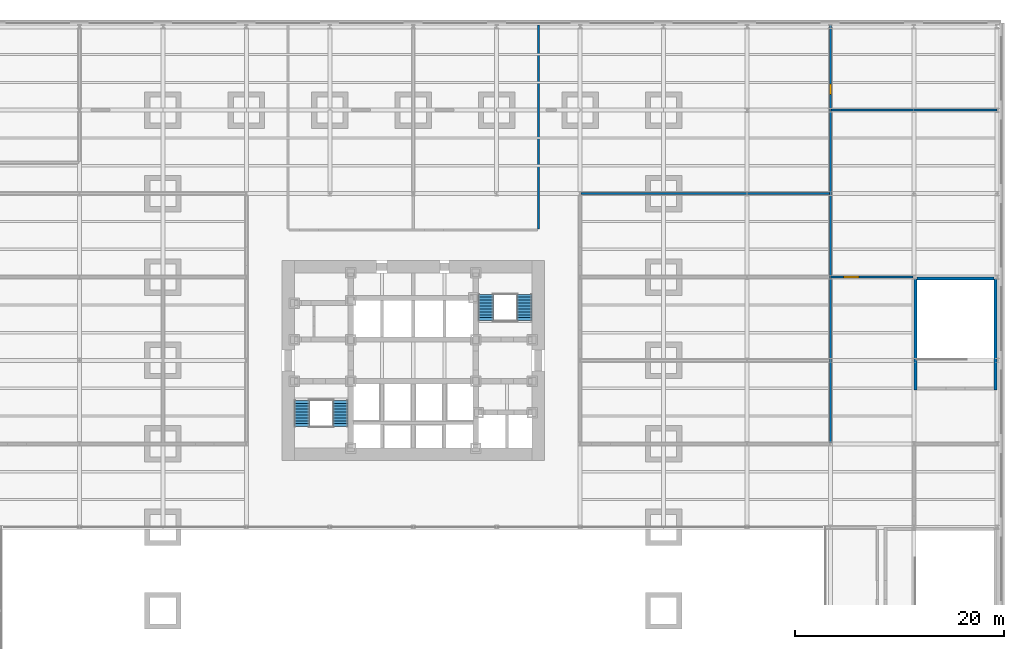
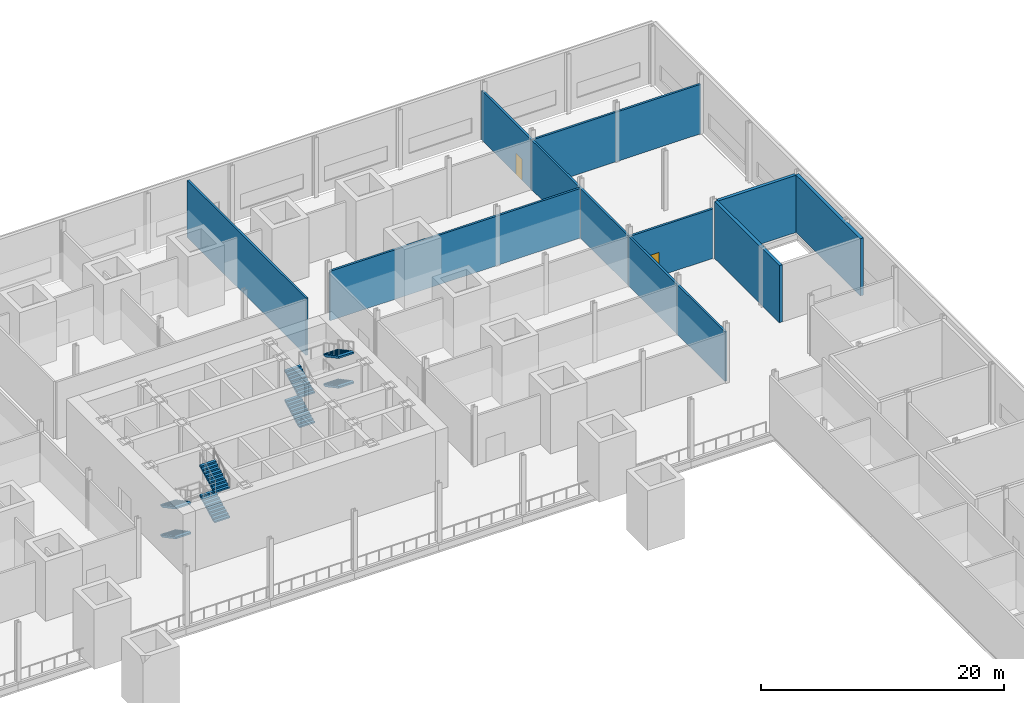
# One storey, part 17 of 21: 10 walls, 8 stair flights, 2 doors, 2 openings, 2 elements without a shape of their own.
"""IFC4 building model written with IfcOpenShell, lengths in metres."""

import ifcopenshell
import ifcopenshell.guid

model = None  # the IFC model being written
_history = None  # IfcOwnerHistory: only IFC2X3 demands one
_inside = {}  # id of a spatial element -> (the spatial element, [elements in it])
_under = {}  # id of a project, library or spatial element -> (it, [spatial elements below it])
_declared = {}  # id of a project -> (the project, [libraries it declares])
_typed = {}  # id of a type object -> (the type object, [elements of that type])
_made_of = {}  # id of a material, layer set ... -> (it, [elements and type objects made of it])


def new_model(schema):
    """Start an empty IFC model of exactly this schema.

    Asked for "IFC4X3", IfcOpenShell would pick the latest addendum, in which some entities
    have other attributes; the version numbers below select the first issue.
    IFC2X3 requires an IfcOwnerHistory on every rooted entity: one is made here for all.
    """
    global model, _history
    if schema == "IFC4X3":
        model = ifcopenshell.file(schema_version=(4, 3, 0, 0))
    else:
        model = ifcopenshell.file(schema=schema)
    _inside.clear()
    _under.clear()
    _declared.clear()
    _typed.clear()
    _made_of.clear()
    _history = None
    if model.schema == "IFC2X3":
        org = make("IfcOrganization", Name="unknown")
        user = make(
            "IfcPersonAndOrganization",
            ThePerson=make("IfcPerson", FamilyName="unknown"),
            TheOrganization=org,
        )
        app = make(
            "IfcApplication",
            ApplicationDeveloper=org,
            Version="unknown",
            ApplicationFullName="unknown",
            ApplicationIdentifier="unknown",
        )
        _history = make(
            "IfcOwnerHistory",
            OwningUser=user,
            OwningApplication=app,
            ChangeAction="ADDED",
            CreationDate=0,
        )
    return model


def make(cls, **values):
    """One entity of the class cls with the attributes given. An attribute that is None is left unset."""
    return model.create_entity(
        cls, **{name: value for name, value in values.items() if value is not None}
    )


def rooted(cls, **values):
    """An entity with a GlobalId (a new one), such as an element, a storey or a relation."""
    return make(cls, GlobalId=ifcopenshell.guid.new(), OwnerHistory=_history, **values)


def si_unit(unit_type, name, prefix=None):
    """IfcSIUnit, for example si_unit("LENGTHUNIT", "METRE", prefix="MILLI")."""
    return make("IfcSIUnit", UnitType=unit_type, Prefix=prefix, Name=name)


def assignment(units):
    """IfcUnitAssignment: the units of a project."""
    return None if units is None else make("IfcUnitAssignment", Units=units)


def point(xyz):
    """IfcCartesianPoint."""
    return None if xyz is None else make("IfcCartesianPoint", Coordinates=xyz)


def direction(xyz):
    """IfcDirection."""
    return None if xyz is None else make("IfcDirection", DirectionRatios=xyz)


def frame(location, z_axis=None, x_axis=None):
    """IfcAxis2Placement3D, a coordinate frame: its origin and axes. An axis left out is left unset."""
    return make(
        "IfcAxis2Placement3D",
        Location=point(location),
        Axis=direction(z_axis),
        RefDirection=direction(x_axis),
    )


def frame_2d(location, x_axis=None):
    """IfcAxis2Placement2D, a coordinate frame in the plane: its origin and x axis."""
    return make(
        "IfcAxis2Placement2D", Location=point(location), RefDirection=direction(x_axis)
    )


def origin():
    """The frame at (0, 0, 0) with its axes left unset."""
    return frame((0.0, 0.0, 0.0))


def place(relative_to, where):
    """IfcLocalPlacement: puts the frame where relative to a parent placement (None: the world)."""
    return make(
        "IfcLocalPlacement", PlacementRelTo=relative_to, RelativePlacement=where
    )


def context(
    kind, dimensions, precision=None, world=None, true_north=None, identifier=None
):
    """IfcGeometricRepresentationContext, for example the 3D "Model" context."""
    return make(
        "IfcGeometricRepresentationContext",
        ContextIdentifier=identifier,
        ContextType=kind,
        CoordinateSpaceDimension=dimensions,
        Precision=precision,
        WorldCoordinateSystem=world,
        TrueNorth=true_north,
    )


def subcontext(parent, identifier, kind, view, scale=None):
    """IfcGeometricRepresentationSubContext, for example "Body" below "Model"."""
    return make(
        "IfcGeometricRepresentationSubContext",
        ContextIdentifier=identifier,
        ContextType=kind,
        ParentContext=parent,
        TargetScale=scale,
        TargetView=view,
    )


def project(units=None, contexts=None):
    """IfcProject with its units and contexts."""
    return rooted(
        "IfcProject",
        Name="project",
        RepresentationContexts=contexts,
        UnitsInContext=assignment(units),
    )


def spatial(cls, under=None, at=None, **own):
    """A site, building, storey or space (cls), placed at a placement, below another one or the project."""
    s = rooted(cls, ObjectPlacement=at, **own)
    if under is not None:
        _under.setdefault(under.id(), (under, []))[1].append(s)
    return s


def polyline(points):
    """IfcPolyline through the points."""
    return make("IfcPolyline", Points=[point(p) for p in points])


def profile(cls, at=None, kind="AREA", **sizes):
    """A parametric profile (cls). Its sizes go by their IFC names, for example OverallWidth=200.0."""
    return make(cls, ProfileType=kind, Position=at, **sizes)


def rectangle(**sizes):
    """IfcRectangleProfileDef."""
    return profile("IfcRectangleProfileDef", **sizes)


def outline(outer, holes=None, kind="AREA"):
    """IfcArbitraryClosedProfileDef: a profile drawn as a closed curve; with holes, ...WithVoids."""
    if holes is None:
        return make("IfcArbitraryClosedProfileDef", ProfileType=kind, OuterCurve=outer)
    return make(
        "IfcArbitraryProfileDefWithVoids",
        ProfileType=kind,
        OuterCurve=outer,
        InnerCurves=holes,
    )


def extrude(swept, where, along, depth):
    """IfcExtrudedAreaSolid: the profile swept, set in the frame where, extruded along a direction by depth."""
    return make(
        "IfcExtrudedAreaSolid",
        SweptArea=swept,
        Position=where,
        ExtrudedDirection=direction(along),
        Depth=depth,
    )


def shape(context_of_items, identifier, shape_type, items):
    """IfcShapeRepresentation: the items that make up one representation, for example the "Body"."""
    return make(
        "IfcShapeRepresentation",
        ContextOfItems=context_of_items,
        RepresentationIdentifier=identifier,
        RepresentationType=shape_type,
        Items=items,
    )


def material(Name=None, Category=None):
    """IfcMaterial."""
    return make("IfcMaterial", Name=Name, Category=Category)


def layer(
    of_material, thickness, ventilated=None, Name=None, Category=None, Priority=None
):
    """IfcMaterialLayer: one layer of a wall or slab, of a material (None: an air gap)."""
    return make(
        "IfcMaterialLayer",
        Material=of_material,
        LayerThickness=thickness,
        IsVentilated=ventilated,
        Name=Name,
        Category=Category,
        Priority=Priority,
    )


def layer_set(layers, Name=None):
    """IfcMaterialLayerSet."""
    return make("IfcMaterialLayerSet", MaterialLayers=layers, LayerSetName=Name)


def made_of(thing, what):
    """Note that an element or type object is made of a material, layer set ...; save() writes the relation."""
    if what is not None:
        _made_of.setdefault(what.id(), (what, []))[1].append(thing)
    return thing


def type_object(cls, material=None, **own):
    """A type object (cls), such as IfcWallType, which elements share."""
    return made_of(rooted(cls, **own), material)


def element(
    cls,
    number,
    at=None,
    inside=None,
    cuts=None,
    type_object=None,
    material=None,
    context=None,
    identifier="Body",
    shape_type=None,
    held_by="IfcProductDefinitionShape",
    body=None,
    shapes=None,
    **own,
):
    """One element of the class cls, such as IfcWall. Its Tag is "e" and its number.

    at: its placement. inside: the storey or other place that contains it. cuts: it is an
    opening in that element (IfcRelVoidsElement). A single representation is given by context,
    identifier, shape_type and body (its items); several are given by shapes. held_by: the class
    of the entity that holds the representations. save() writes the other relations.
    """
    e = rooted(cls, Tag="e%d" % number, ObjectPlacement=at, **own)
    if body is not None:
        shapes = [shape(context, identifier, shape_type, body)]
    if shapes is not None:
        e.Representation = make(held_by, Representations=shapes)
    if inside is not None:
        _inside.setdefault(inside.id(), (inside, []))[1].append(e)
    if cuts is not None:
        rooted(
            "IfcRelVoidsElement", RelatingBuildingElement=cuts, RelatedOpeningElement=e
        )
    if type_object is not None:
        _typed.setdefault(type_object.id(), (type_object, []))[1].append(e)
    return made_of(e, material)


def fill(opening, filler):
    """IfcRelFillsElement: the door or window that sits in an opening."""
    return rooted(
        "IfcRelFillsElement",
        RelatingOpeningElement=opening,
        RelatedBuildingElement=filler,
    )


def aggregate(whole, parts):
    """IfcRelAggregates: a whole, such as a stair, and the parts it consists of."""
    return rooted("IfcRelAggregates", RelatingObject=whole, RelatedObjects=parts)


def save(model, path):
    """Write the relations noted so far, then the file.

    IfcRelAggregates (storeys below a building ...), IfcRelContainedInSpatialStructure (elements
    in a storey), IfcRelDefinesByType, IfcRelAssociatesMaterial and IfcRelDeclares: one each for
    every whole, place, type object, material and project.
    """
    for whole, parts in _under.values():
        aggregate(whole, parts)
    for where, things in _inside.values():
        rooted(
            "IfcRelContainedInSpatialStructure",
            RelatedElements=things,
            RelatingStructure=where,
        )
    for kind, things in _typed.values():
        rooted("IfcRelDefinesByType", RelatedObjects=things, RelatingType=kind)
    for what, things in _made_of.values():
        rooted("IfcRelAssociatesMaterial", RelatedObjects=things, RelatingMaterial=what)
    for by, libraries in _declared.values():
        rooted("IfcRelDeclares", RelatingContext=by, RelatedDefinitions=libraries)
    model.write(path)


model = new_model("IFC4")

# Units and contexts
model_context = context("Model", 3, precision=1e-05, world=origin(), true_north=direction((0.0, 1.0)))
body_context = subcontext(model_context, "Body", "Model", "MODEL_VIEW")
ifc_project = project(units=[si_unit("LENGTHUNIT", "METRE"), si_unit("AREAUNIT", "SQUARE_METRE"), si_unit("VOLUMEUNIT", "CUBIC_METRE"), si_unit("PLANEANGLEUNIT", "RADIAN"), si_unit("MASSUNIT", "GRAM", prefix="KILO")], contexts=[model_context])

# Site, building, storey
site_placement = place(None, origin())
site = spatial("IfcSite", under=ifc_project, at=site_placement, CompositionType="ELEMENT")
building_placement = place(site_placement, origin())
building = spatial("IfcBuilding", under=site, at=building_placement, Name="Daluyong Arena Tower", CompositionType="ELEMENT")
storey_placement = place(building_placement, frame((0.0, 0.0, 19.89990234375)))
storey = spatial("IfcBuildingStorey", under=building, at=storey_placement, Name="L04", CompositionType="ELEMENT", Elevation=19.89990234375)

# Wall, opening, door
ifc_material_1 = material(Name="Concrete block partition, fire rated", Category="concrete")
ifc_layer_1 = layer(ifc_material_1, 0.199951171875)
ifc_layer_set_1 = layer_set([ifc_layer_1], Name="Concrete block partition, fire rated")
wall_type_1 = type_object("IfcWallType", Name="Fire-rated partition 200", PredefinedType="PARTITIONING", material=ifc_layer_set_1)
wall_1_placement = place(storey_placement, frame((96.0, 88.0, 0.0), z_axis=(0.0, 0.0, 1.0), x_axis=(1.0, 0.0, 0.0)))
wall_1 = element("IfcWall", 1, at=wall_1_placement, inside=storey, type_object=wall_type_1, Name="fire-rated partition at L04", PredefinedType="PARTITIONING", context=body_context, shape_type="SweptSolid", body=[
    extrude(rectangle(XDim=7.89990234375, YDim=0.199951171875, at=frame_2d((3.949951171875, 0.0))), origin(), (0.0, 0.0, 1.0), 4.977783203125),
])
opening_1_placement = place(wall_1_placement, frame((1.25, 0.0, 0.0)))
opening_1 = element("IfcOpeningElement", 2, at=opening_1_placement, cuts=wall_1, Name="Opening 04032", PredefinedType="OPENING", context=body_context, shape_type="SweptSolid", body=[
    extrude(rectangle(XDim=1.5, YDim=2.39990234375, at=frame_2d((0.75, 1.199951171875))), frame((0.0, 0.10986328125, 0.0), z_axis=(0.0, -1.0, 0.0), x_axis=(1.0, 0.0, 0.0)), (0.0, 0.0, 1.0), 0.219970703125),
])
ifc_material_2 = material(Name="Steel door, fire rated", Category="steel")
door_type_1 = type_object("IfcDoorType", Name="Plant room door 1500", OperationType="DOUBLE_DOOR_SINGLE_SWING", PredefinedType="DOOR", material=ifc_material_2)
door_1_placement = place(opening_1_placement, origin())
door_1 = element("IfcDoor", 3, at=door_1_placement, inside=storey, type_object=door_type_1, Name="air handling plant room door 04032", OperationType="DOUBLE_DOOR_SINGLE_SWING", OverallHeight=2.39990234375, OverallWidth=1.5, PredefinedType="DOOR", context=body_context, shape_type="SweptSolid", body=[
    extrude(rectangle(XDim=1.5, YDim=2.39990234375, at=frame_2d((0.75, 1.199951171875))), frame((0.0, 0.099609375, 0.0), z_axis=(0.0, -1.0, 0.0), x_axis=(1.0, 0.0, 0.0)), (0.0, 0.0, 1.0), 0.199462890625),
])
fill(opening_1, door_1)

# Walls
for number, where, z_axis, x_axis, name in (
    (4, (96.0, 104.0, 0.0), (0.0, 0.0, 1.0), (1.0, 0.0, 0.0), "fire-rated partition at L04"),
    (5, (96.0, 88.0, 0.0), (0.0, 0.0, 1.0), (0.0, 1.0, 0.0), "fire-rated partition at L04"),
):
    element("IfcWall", number, at=place(storey_placement, frame(where, z_axis=z_axis, x_axis=x_axis)), inside=storey, type_object=wall_type_1, Name=name, PredefinedType="PARTITIONING", context=body_context, shape_type="SweptSolid", body=[
        extrude(rectangle(XDim=16.0, YDim=0.199951171875, at=frame_2d((8.0, 0.0))), origin(), (0.0, 0.0, 1.0), 4.977783203125),
    ])
ifc_material_3 = material(Name="Concrete block partition", Category="concrete")
ifc_layer_2 = layer(ifc_material_3, 0.199951171875)
ifc_layer_set_2 = layer_set([ifc_layer_2], Name="Concrete block partition")
wall_type_2 = type_object("IfcWallType", Name="Partition 200", PredefinedType="PARTITIONING", material=ifc_layer_set_2)
wall_2_placement = place(storey_placement, frame((72.10009765625, 96.0, 0.0), z_axis=(0.0, 0.0, 1.0), x_axis=(1.0, 0.0, 0.0)))
element("IfcWall", 6, at=wall_2_placement, inside=storey, type_object=wall_type_2, Name="partition at L04", PredefinedType="PARTITIONING", context=body_context, shape_type="SweptSolid", body=[
    extrude(rectangle(XDim=23.7998046875, YDim=0.199951171875, at=frame_2d((11.89990234375, 0.0))), origin(), (0.0, 0.0, 1.0), 4.977783203125),
])
wall_3_placement = place(storey_placement, frame((68.0, 92.60009765625, 0.0), z_axis=(0.0, 0.0, 1.0), x_axis=(0.0, 1.0, 0.0)))
element("IfcWall", 7, at=wall_3_placement, inside=storey, type_object=wall_type_2, Name="partition at L04", PredefinedType="PARTITIONING", context=body_context, shape_type="SweptSolid", body=[
    extrude(rectangle(XDim=19.5498046875, YDim=0.199951171875, at=frame_2d((9.77490234375, 0.0))), origin(), (0.0, 0.0, 1.0), 5.75),
])
wall_4_placement = place(storey_placement, frame((96.0, 72.10009765625, 0.0), z_axis=(0.0, 0.0, 1.0), x_axis=(0.0, 1.0, 0.0)))
element("IfcWall", 8, at=wall_4_placement, inside=storey, type_object=wall_type_2, Name="partition at L04", PredefinedType="PARTITIONING", context=body_context, shape_type="SweptSolid", body=[
    extrude(rectangle(XDim=15.89990234375, YDim=0.199951171875, at=frame_2d((7.949951171875, 0.0))), origin(), (0.0, 0.0, 1.0), 4.977783203125),
])

# Wall, opening, door
wall_5_placement = place(storey_placement, frame((96.0, 104.0, 0.0), z_axis=(0.0, 0.0, 1.0), x_axis=(0.0, 1.0, 0.0)))
wall_5 = element("IfcWall", 9, at=wall_5_placement, inside=storey, type_object=wall_type_2, Name="partition at L04", PredefinedType="PARTITIONING", context=body_context, shape_type="SweptSolid", body=[
    extrude(rectangle(XDim=8.14990234375, YDim=0.199951171875, at=frame_2d((4.074951171875, 0.0))), origin(), (0.0, 0.0, 1.0), 4.977783203125),
])
opening_2_placement = place(wall_5_placement, frame((1.5, 0.0, 0.0)))
opening_2 = element("IfcOpeningElement", 10, at=opening_2_placement, cuts=wall_5, Name="Opening 04072", PredefinedType="OPENING", context=body_context, shape_type="SweptSolid", body=[
    extrude(rectangle(XDim=1.0, YDim=2.10009765625, at=frame_2d((0.5, 1.050048828125))), frame((0.0, 0.10986328125, 0.0), z_axis=(0.0, -1.0, 0.0), x_axis=(1.0, 0.0, 0.0)), (0.0, 0.0, 1.0), 0.219970703125),
])
ifc_material_4 = material(Name="Timber door", Category="wood")
door_type_2 = type_object("IfcDoorType", Name="Room door 1000", OperationType="SINGLE_SWING_LEFT", PredefinedType="DOOR", material=ifc_material_4)
door_2_placement = place(opening_2_placement, origin())
door_2 = element("IfcDoor", 11, at=door_2_placement, inside=storey, type_object=door_type_2, Name="banquet servery door 04072", OperationType="SINGLE_SWING_LEFT", OverallHeight=2.10009765625, OverallWidth=1.0, PredefinedType="DOOR", context=body_context, shape_type="SweptSolid", body=[
    extrude(rectangle(XDim=1.0, YDim=2.10009765625, at=frame_2d((0.5, 1.050048828125))), frame((0.0, 0.099609375, 0.0), z_axis=(0.0, -1.0, 0.0), x_axis=(1.0, 0.0, 0.0)), (0.0, 0.0, 1.0), 0.199462890625),
])
fill(opening_2, door_2)

# Walls
ifc_material_5 = material(Name="Concrete fc' 35 MPa", Category="concrete")
ifc_layer_3 = layer(ifc_material_5, 0.300048828125)
ifc_layer_set_3 = layer_set([ifc_layer_3], Name="Concrete fc' 35 MPa")
wall_type_3 = type_object("IfcWallType", Name="Stair enclosure wall 300", PredefinedType="SOLIDWALL", material=ifc_layer_set_3)
for number, where, z_axis, x_axis, name in (
    (12, (104.14990234375, 77.14990234375, 0.0), (0.0, 0.0, 1.0), (0.0, 1.0, 0.0), "exit stair PS6 enclosure"),
    (13, (111.85009765625, 77.14990234375, 0.0), (0.0, 0.0, 1.0), (0.0, 1.0, 0.0), "exit stair PS6 enclosure"),
):
    element("IfcWall", number, at=place(storey_placement, frame(where, z_axis=z_axis, x_axis=x_axis)), inside=storey, type_object=wall_type_3, Name=name, PredefinedType="SOLIDWALL", context=body_context, shape_type="SweptSolid", body=[
        extrude(rectangle(XDim=10.656982421875, YDim=0.300048828125, at=frame_2d((5.32861328125, 0.0))), origin(), (0.0, 0.0, 1.0), 5.75),
    ])
wall_6_placement = place(storey_placement, frame((104.300048828125, 87.85009765625, 0.0), z_axis=(0.0, 0.0, 1.0), x_axis=(1.0, 0.0, 0.0)))
element("IfcWall", 14, at=wall_6_placement, inside=storey, type_object=wall_type_3, Name="exit stair PS6 enclosure", PredefinedType="SOLIDWALL", context=body_context, shape_type="SweptSolid", body=[
    extrude(rectangle(XDim=7.39990234375, YDim=0.300048828125, at=frame_2d((3.699951171875, 0.0))), origin(), (0.0, 0.0, 1.0), 5.75),
])

# Stair, stair flights
ifc_material_6 = material(Name="Concrete fc' 35 MPa", Category="concrete")
stair_type = type_object("IfcStairType", Name="Core exit stair", PredefinedType="HALF_TURN_STAIR", material=ifc_material_6)
stair_1_placement = place(storey_placement, origin())
stair_1 = element("IfcStair", 15, at=stair_1_placement, inside=storey, type_object=stair_type, Name="exit stair A L04", PredefinedType="HALF_TURN_STAIR")
ifc_material_7 = material(Name="Concrete fc' 35 MPa", Category="concrete")
stair_flight_type = type_object("IfcStairFlightType", Name="Core stair flight", PredefinedType="STRAIGHT", material=ifc_material_7)
stair_flight_1_placement = place(storey_placement, frame((45.324951171875, 76.175048828125, 0.0), z_axis=(0.0, 0.0, 1.0), x_axis=(0.0, -1.0, 0.0)))
stair_flight_1 = element("IfcStairFlight", 16, at=stair_flight_1_placement, type_object=stair_flight_type, Name="STA flight 1", NumberOfRisers=10, NumberOfTreads=9, PredefinedType="STRAIGHT", RiserHeight=0.15, TreadLength=0.28, context=body_context, shape_type="SweptSolid", body=[
    extrude(outline(polyline([(0.0, 0.0), (0.0, 0.14990234375), (0.280029296875, 0.14990234375), (0.280029296875, 0.300048828125), (0.56005859375, 0.300048828125), (0.56005859375, 0.449951171875), (0.840087890625, 0.449951171875), (0.840087890625, 0.60009765625), (1.1201171875, 0.60009765625), (1.1201171875, 0.75), (1.39990234375, 0.75), (1.39990234375, 0.89990234375), (1.679931640625, 0.89990234375), (1.679931640625, 1.050048828125), (1.9599609375, 1.050048828125), (1.9599609375, 1.199951171875), (2.239990234375, 1.199951171875), (2.239990234375, 1.35009765625), (2.52001953125, 1.35009765625), (2.52001953125, 1.5), (2.52001953125, 1.179931640625), (0.3173828125, 0.0), (0.0, 0.0)])), frame((0.0, 0.72509765625, 0.0), z_axis=(0.0, -1.0, 0.0), x_axis=(1.0, 0.0, 0.0)), (0.0, 0.0, 1.0), 1.449951171875),
])
stair_flight_2_placement = place(storey_placement, frame((49.02490234375, 73.655029296875, 1.5), z_axis=(0.0, 0.0, 1.0), x_axis=(0.0, 1.0, 0.0)))
stair_flight_2 = element("IfcStairFlight", 17, at=stair_flight_2_placement, type_object=stair_flight_type, Name="STA flight 2", NumberOfRisers=10, NumberOfTreads=9, PredefinedType="STRAIGHT", RiserHeight=0.15, TreadLength=0.28, context=body_context, shape_type="SweptSolid", body=[
    extrude(outline(polyline([(0.0, 0.0), (0.0, 0.14990234375), (0.280029296875, 0.14990234375), (0.280029296875, 0.300048828125), (0.56005859375, 0.300048828125), (0.56005859375, 0.449951171875), (0.840087890625, 0.449951171875), (0.840087890625, 0.60009765625), (1.1201171875, 0.60009765625), (1.1201171875, 0.75), (1.39990234375, 0.75), (1.39990234375, 0.89990234375), (1.679931640625, 0.89990234375), (1.679931640625, 1.050048828125), (1.9599609375, 1.050048828125), (1.9599609375, 1.199951171875), (2.239990234375, 1.199951171875), (2.239990234375, 1.35009765625), (2.52001953125, 1.35009765625), (2.52001953125, 1.5), (2.52001953125, 1.179931640625), (0.3173828125, 0.0), (0.0, 0.0)])), frame((0.0, 0.72509765625, 0.0), z_axis=(0.0, -1.0, 0.0), x_axis=(1.0, 0.0, 0.0)), (0.0, 0.0, 1.0), 1.449951171875),
])
stair_flight_3_placement = place(storey_placement, frame((45.324951171875, 76.175048828125, 3.0), z_axis=(0.0, 0.0, 1.0), x_axis=(0.0, -1.0, 0.0)))
stair_flight_3 = element("IfcStairFlight", 18, at=stair_flight_3_placement, type_object=stair_flight_type, Name="STA flight 3", NumberOfRisers=10, NumberOfTreads=9, PredefinedType="STRAIGHT", RiserHeight=0.15, TreadLength=0.28, context=body_context, shape_type="SweptSolid", body=[
    extrude(outline(polyline([(0.0, 0.0), (0.0, 0.14990234375), (0.280029296875, 0.14990234375), (0.280029296875, 0.300048828125), (0.56005859375, 0.300048828125), (0.56005859375, 0.449951171875), (0.840087890625, 0.449951171875), (0.840087890625, 0.60009765625), (1.1201171875, 0.60009765625), (1.1201171875, 0.75), (1.39990234375, 0.75), (1.39990234375, 0.89990234375), (1.679931640625, 0.89990234375), (1.679931640625, 1.050048828125), (1.9599609375, 1.050048828125), (1.9599609375, 1.199951171875), (2.239990234375, 1.199951171875), (2.239990234375, 1.35009765625), (2.52001953125, 1.35009765625), (2.52001953125, 1.5), (2.52001953125, 1.179931640625), (0.3173828125, 0.0), (0.0, 0.0)])), frame((0.0, 0.72509765625, 0.0), z_axis=(0.0, -1.0, 0.0), x_axis=(1.0, 0.0, 0.0)), (0.0, 0.0, 1.0), 1.449951171875),
])
stair_flight_4_placement = place(storey_placement, frame((49.02490234375, 73.655029296875, 4.5), z_axis=(0.0, 0.0, 1.0), x_axis=(0.0, 1.0, 0.0)))
stair_flight_4 = element("IfcStairFlight", 19, at=stair_flight_4_placement, type_object=stair_flight_type, Name="STA flight 4", NumberOfRisers=10, NumberOfTreads=9, PredefinedType="STRAIGHT", RiserHeight=0.15, TreadLength=0.28, context=body_context, shape_type="SweptSolid", body=[
    extrude(outline(polyline([(0.0, 0.0), (0.0, 0.14990234375), (0.280029296875, 0.14990234375), (0.280029296875, 0.300048828125), (0.56005859375, 0.300048828125), (0.56005859375, 0.449951171875), (0.840087890625, 0.449951171875), (0.840087890625, 0.60009765625), (1.1201171875, 0.60009765625), (1.1201171875, 0.75), (1.39990234375, 0.75), (1.39990234375, 0.89990234375), (1.679931640625, 0.89990234375), (1.679931640625, 1.050048828125), (1.9599609375, 1.050048828125), (1.9599609375, 1.199951171875), (2.239990234375, 1.199951171875), (2.239990234375, 1.35009765625), (2.52001953125, 1.35009765625), (2.52001953125, 1.5), (2.52001953125, 1.179931640625), (0.3173828125, 0.0), (0.0, 0.0)])), frame((0.0, 0.72509765625, 0.0), z_axis=(0.0, -1.0, 0.0), x_axis=(1.0, 0.0, 0.0)), (0.0, 0.0, 1.0), 1.449951171875),
])
aggregate(stair_1, [stair_flight_1, stair_flight_2, stair_flight_3, stair_flight_4])

stair_2_placement = place(storey_placement, origin())
stair_2 = element("IfcStair", 20, at=stair_2_placement, inside=storey, type_object=stair_type, Name="exit stair B L04", PredefinedType="HALF_TURN_STAIR")
stair_flight_5_placement = place(storey_placement, frame((62.97509765625, 83.824951171875, 0.0), z_axis=(0.0, 0.0, 1.0), x_axis=(0.0, 1.0, 0.0)))
stair_flight_5 = element("IfcStairFlight", 21, at=stair_flight_5_placement, type_object=stair_flight_type, Name="STB flight 1", NumberOfRisers=10, NumberOfTreads=9, PredefinedType="STRAIGHT", RiserHeight=0.15, TreadLength=0.28, context=body_context, shape_type="SweptSolid", body=[
    extrude(outline(polyline([(0.0, 0.0), (0.0, 0.14990234375), (0.280029296875, 0.14990234375), (0.280029296875, 0.300048828125), (0.56005859375, 0.300048828125), (0.56005859375, 0.449951171875), (0.840087890625, 0.449951171875), (0.840087890625, 0.60009765625), (1.1201171875, 0.60009765625), (1.1201171875, 0.75), (1.39990234375, 0.75), (1.39990234375, 0.89990234375), (1.679931640625, 0.89990234375), (1.679931640625, 1.050048828125), (1.9599609375, 1.050048828125), (1.9599609375, 1.199951171875), (2.239990234375, 1.199951171875), (2.239990234375, 1.35009765625), (2.52001953125, 1.35009765625), (2.52001953125, 1.5), (2.52001953125, 1.179931640625), (0.3173828125, 0.0), (0.0, 0.0)])), frame((0.0, 0.72509765625, 0.0), z_axis=(0.0, -1.0, 0.0), x_axis=(1.0, 0.0, 0.0)), (0.0, 0.0, 1.0), 1.449951171875),
])
stair_flight_6_placement = place(storey_placement, frame((66.675048828125, 86.344970703125, 1.5), z_axis=(0.0, 0.0, 1.0), x_axis=(0.0, -1.0, 0.0)))
stair_flight_6 = element("IfcStairFlight", 22, at=stair_flight_6_placement, type_object=stair_flight_type, Name="STB flight 2", NumberOfRisers=10, NumberOfTreads=9, PredefinedType="STRAIGHT", RiserHeight=0.15, TreadLength=0.28, context=body_context, shape_type="SweptSolid", body=[
    extrude(outline(polyline([(0.0, 0.0), (0.0, 0.14990234375), (0.280029296875, 0.14990234375), (0.280029296875, 0.300048828125), (0.56005859375, 0.300048828125), (0.56005859375, 0.449951171875), (0.840087890625, 0.449951171875), (0.840087890625, 0.60009765625), (1.1201171875, 0.60009765625), (1.1201171875, 0.75), (1.39990234375, 0.75), (1.39990234375, 0.89990234375), (1.679931640625, 0.89990234375), (1.679931640625, 1.050048828125), (1.9599609375, 1.050048828125), (1.9599609375, 1.199951171875), (2.239990234375, 1.199951171875), (2.239990234375, 1.35009765625), (2.52001953125, 1.35009765625), (2.52001953125, 1.5), (2.52001953125, 1.179931640625), (0.3173828125, 0.0), (0.0, 0.0)])), frame((0.0, 0.72509765625, 0.0), z_axis=(0.0, -1.0, 0.0), x_axis=(1.0, 0.0, 0.0)), (0.0, 0.0, 1.0), 1.449951171875),
])
stair_flight_7_placement = place(storey_placement, frame((62.97509765625, 83.824951171875, 3.0), z_axis=(0.0, 0.0, 1.0), x_axis=(0.0, 1.0, 0.0)))
stair_flight_7 = element("IfcStairFlight", 23, at=stair_flight_7_placement, type_object=stair_flight_type, Name="STB flight 3", NumberOfRisers=10, NumberOfTreads=9, PredefinedType="STRAIGHT", RiserHeight=0.15, TreadLength=0.28, context=body_context, shape_type="SweptSolid", body=[
    extrude(outline(polyline([(0.0, 0.0), (0.0, 0.14990234375), (0.280029296875, 0.14990234375), (0.280029296875, 0.300048828125), (0.56005859375, 0.300048828125), (0.56005859375, 0.449951171875), (0.840087890625, 0.449951171875), (0.840087890625, 0.60009765625), (1.1201171875, 0.60009765625), (1.1201171875, 0.75), (1.39990234375, 0.75), (1.39990234375, 0.89990234375), (1.679931640625, 0.89990234375), (1.679931640625, 1.050048828125), (1.9599609375, 1.050048828125), (1.9599609375, 1.199951171875), (2.239990234375, 1.199951171875), (2.239990234375, 1.35009765625), (2.52001953125, 1.35009765625), (2.52001953125, 1.5), (2.52001953125, 1.179931640625), (0.3173828125, 0.0), (0.0, 0.0)])), frame((0.0, 0.72509765625, 0.0), z_axis=(0.0, -1.0, 0.0), x_axis=(1.0, 0.0, 0.0)), (0.0, 0.0, 1.0), 1.449951171875),
])
stair_flight_8_placement = place(storey_placement, frame((66.675048828125, 86.344970703125, 4.5), z_axis=(0.0, 0.0, 1.0), x_axis=(0.0, -1.0, 0.0)))
stair_flight_8 = element("IfcStairFlight", 24, at=stair_flight_8_placement, type_object=stair_flight_type, Name="STB flight 4", NumberOfRisers=10, NumberOfTreads=9, PredefinedType="STRAIGHT", RiserHeight=0.15, TreadLength=0.28, context=body_context, shape_type="SweptSolid", body=[
    extrude(outline(polyline([(0.0, 0.0), (0.0, 0.14990234375), (0.280029296875, 0.14990234375), (0.280029296875, 0.300048828125), (0.56005859375, 0.300048828125), (0.56005859375, 0.449951171875), (0.840087890625, 0.449951171875), (0.840087890625, 0.60009765625), (1.1201171875, 0.60009765625), (1.1201171875, 0.75), (1.39990234375, 0.75), (1.39990234375, 0.89990234375), (1.679931640625, 0.89990234375), (1.679931640625, 1.050048828125), (1.9599609375, 1.050048828125), (1.9599609375, 1.199951171875), (2.239990234375, 1.199951171875), (2.239990234375, 1.35009765625), (2.52001953125, 1.35009765625), (2.52001953125, 1.5), (2.52001953125, 1.179931640625), (0.3173828125, 0.0), (0.0, 0.0)])), frame((0.0, 0.72509765625, 0.0), z_axis=(0.0, -1.0, 0.0), x_axis=(1.0, 0.0, 0.0)), (0.0, 0.0, 1.0), 1.449951171875),
])
aggregate(stair_2, [stair_flight_5, stair_flight_6, stair_flight_7, stair_flight_8])

save(model, "model.ifc")
